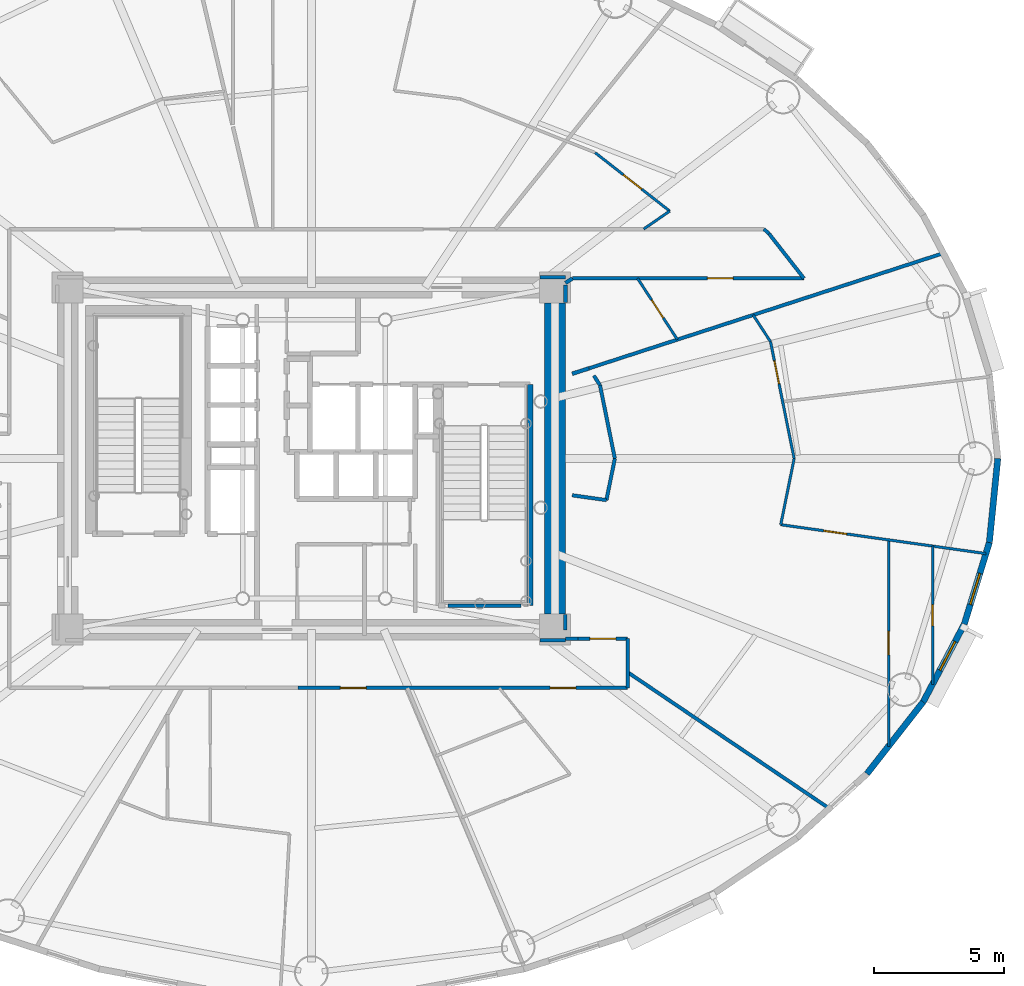
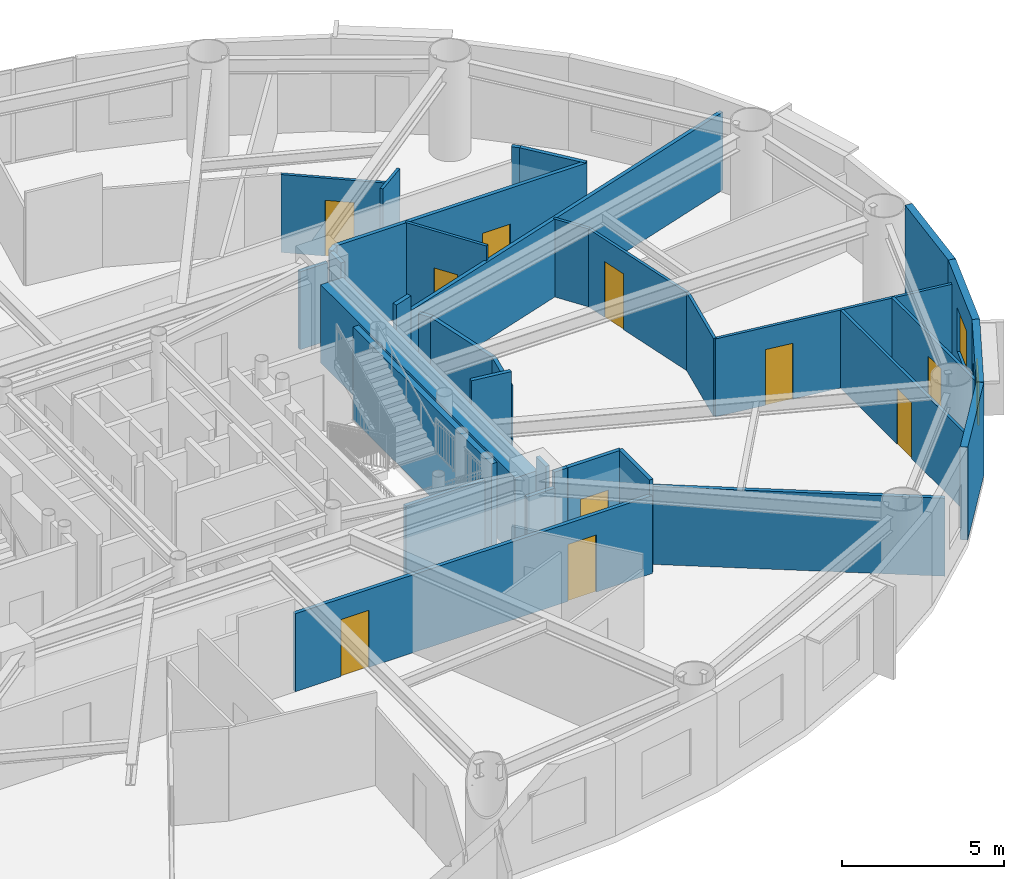
# One storey, part 11 of 20: 35 walls, 10 doors, 2 windows, 12 openings.
"""IFC4 building model written with IfcOpenShell, lengths in metres."""

from ifc_helpers import new_model, si_unit, direction, frame, frame_2d, origin, origin_2d, place, context, subcontext, project, spatial, rectangle, extrude, source, transform, mapped, material, layer, layer_set, type_object, element, fill, save


model = new_model("IFC4")

# Units and contexts
model_context = context("Model", 3, precision=1e-05, world=origin(), true_north=direction((0.0, 1.0)))
body_context = subcontext(model_context, "Body", "Model", "MODEL_VIEW")
ifc_project = project(units=[si_unit("LENGTHUNIT", "METRE"), si_unit("AREAUNIT", "SQUARE_METRE"), si_unit("VOLUMEUNIT", "CUBIC_METRE"), si_unit("PLANEANGLEUNIT", "RADIAN"), si_unit("MASSUNIT", "GRAM", prefix="KILO")], contexts=[model_context])

# Site, building, storey
site_placement = place(None, origin())
site = spatial("IfcSite", under=ifc_project, at=site_placement, CompositionType="ELEMENT")
building_placement = place(site_placement, origin())
building = spatial("IfcBuilding", under=site, at=building_placement, Name="Linh Dai School and Residence Tower", CompositionType="ELEMENT")
storey_placement = place(building_placement, frame((0.0, 0.0, 163.64990234375)))
storey = spatial("IfcBuildingStorey", under=building, at=storey_placement, Name="L39", CompositionType="ELEMENT", Elevation=163.64990234375)

# Wall
ifc_material_1 = material(Name="Precast Concrete B45 (C35/45)", Category="concrete")
ifc_layer_1 = layer(ifc_material_1, 0.239990234375)
ifc_layer_set_1 = layer_set([ifc_layer_1], Name="Precast Concrete B45 (C35/45)")
wall_type_1 = type_object("IfcWallType", Name="EW-TC-240", PredefinedType="SOLIDWALL", material=ifc_layer_set_1)
wall_1_placement = place(storey_placement, frame((59.595947265625, 17.611572265625, 0.0), z_axis=(0.0, 0.0, 1.0), x_axis=(-0.616287674549, -0.787521112224, 0.0)))
element("IfcWall", 1, at=wall_1_placement, inside=storey, type_object=wall_type_1, Name="L39 Terracotta Exterior Wall 37", PredefinedType="SOLIDWALL", context=body_context, shape_type="SweptSolid", body=[
    extrude(rectangle(XDim=3.517333984375, YDim=0.239990234375, at=frame_2d((1.7587890625, 0.0))), origin(), (0.0, 0.0, 1.0), 3.5),
])

# Wall, opening, window
wall_2_placement = place(storey_placement, frame((61.1826171875, 20.611083984375, 0.0), z_axis=(0.0, 0.0, 1.0), x_axis=(-0.467586874938, -0.88394712194, 0.0)))
wall_2 = element("IfcWall", 2, at=wall_2_placement, inside=storey, type_object=wall_type_1, Name="L39 Terracotta Exterior Wall 38", PredefinedType="SOLIDWALL", context=body_context, shape_type="SweptSolid", body=[
    extrude(rectangle(XDim=3.393310546875, YDim=0.239990234375, at=frame_2d((1.69677734375, 0.0))), origin(), (0.0, 0.0, 1.0), 3.5),
])
opening_1_placement = place(wall_2_placement, frame((0.75927734375, 0.0, 0.89990234375)))
opening_1 = element("IfcOpeningElement", 3, at=opening_1_placement, cuts=wall_2, Name="Opening W3", PredefinedType="OPENING", context=body_context, shape_type="SweptSolid", body=[
    extrude(rectangle(XDim=1.25, YDim=1.64990234375, at=origin_2d()), frame((0.625, 0.1298828125, 0.824951171875), z_axis=(0.0, -1.0, 0.0), x_axis=(1.0, 0.0, 0.0)), (0.0, 0.0, 1.0), 0.260009765625),
])
ifc_material_2 = material(Name="Double Low-E Insulated Glazing", Category="glass")
window_type = type_object("IfcWindowType", Name="WN-RES-1250x1650", PartitioningType="SINGLE_PANEL", PredefinedType="WINDOW", material=ifc_material_2)
shared_shape_1 = source(origin(), body_context, "Body", "SweptSolid", [
    extrude(rectangle(XDim=1.25, YDim=1.64990234375, at=origin_2d()), frame((0.625, 0.030029296875, 0.824951171875), z_axis=(0.0, -1.0, 0.0), x_axis=(1.0, 0.0, 0.0)), (0.0, 0.0, 1.0), 0.06005859375),
])
window_1_placement = place(opening_1_placement, origin())
window_1 = element("IfcWindow", 4, at=window_1_placement, inside=storey, type_object=window_type, Name="L39 Exterior Window 38.1", OverallHeight=1.64990234375, OverallWidth=1.25, PartitioningType="SINGLE_PANEL", PredefinedType="WINDOW", context=body_context, shape_type="MappedRepresentation", body=[
    mapped(shared_shape_1, transform((0.0, 0.0, 0.0), x_axis=(1.0, 0.0, 0.0), y_axis=(0.0, 1.0, 0.0), z_axis=(0.0, 0.0, 1.0), scale=1.0)),
])
fill(opening_1, window_1)

wall_3_placement = place(storey_placement, frame((62.14990234375, 23.766357421875, 0.0), z_axis=(0.0, 0.0, 1.0), x_axis=(-0.293097995113, -0.956082405058, 0.0)))
wall_3 = element("IfcWall", 5, at=wall_3_placement, inside=storey, type_object=wall_type_1, Name="L39 Terracotta Exterior Wall 39", PredefinedType="SOLIDWALL", context=body_context, shape_type="SweptSolid", body=[
    extrude(rectangle(XDim=3.30029296875, YDim=0.239990234375, at=frame_2d((1.650146484375, 0.0))), origin(), (0.0, 0.0, 1.0), 3.5),
])
opening_2_placement = place(wall_3_placement, frame((1.255859375, 0.0, 0.89990234375)))
opening_2 = element("IfcOpeningElement", 6, at=opening_2_placement, cuts=wall_3, Name="Opening W3", PredefinedType="OPENING", context=body_context, shape_type="SweptSolid", body=[
    extrude(rectangle(XDim=1.25, YDim=1.64990234375, at=origin_2d()), frame((0.625, 0.1298828125, 0.824951171875), z_axis=(0.0, -1.0, 0.0), x_axis=(1.0, 0.0, 0.0)), (0.0, 0.0, 1.0), 0.260009765625),
])
window_2_placement = place(opening_2_placement, origin())
window_2 = element("IfcWindow", 7, at=window_2_placement, inside=storey, type_object=window_type, Name="L39 Exterior Window 39.1", OverallHeight=1.64990234375, OverallWidth=1.25, PartitioningType="SINGLE_PANEL", PredefinedType="WINDOW", context=body_context, shape_type="MappedRepresentation", body=[
    mapped(shared_shape_1, transform((0.0, 0.0, 0.0), x_axis=(1.0, 0.0, 0.0), y_axis=(0.0, 1.0, 0.0), z_axis=(0.0, 0.0, 1.0), scale=1.0)),
])
fill(opening_2, window_2)

# Wall
wall_4_placement = place(storey_placement, frame((62.47509765625, 27.0, 0.0), z_axis=(0.0, 0.0, 1.0), x_axis=(-0.100061534614, -0.994981250723, 0.0)))
element("IfcWall", 8, at=wall_4_placement, inside=storey, type_object=wall_type_1, Name="L39 Terracotta Exterior Wall 40", PredefinedType="SOLIDWALL", context=body_context, shape_type="SweptSolid", body=[
    extrude(rectangle(XDim=3.25, YDim=0.239990234375, at=frame_2d((1.625, 0.0))), origin(), (0.0, 0.0, 1.0), 3.5),
])

# Wall, openings, doors
ifc_material_3 = material(Name="Autoclaved Aerated Concrete Blockwork", Category="masonry")
ifc_layer_2 = layer(ifc_material_3, 0.135009765625)
ifc_layer_set_2 = layer_set([ifc_layer_2], Name="Autoclaved Aerated Concrete Blockwork")
wall_type_2 = type_object("IfcWallType", Name="IW-CORR-135-EI90", PredefinedType="PARTITIONING", material=ifc_layer_set_2)
wall_5_placement = place(storey_placement, frame((35.48583984375, 18.14990234375, 0.0), z_axis=(0.0, 0.0, 1.0), x_axis=(1.0, 0.0, 0.0)))
wall_5 = element("IfcWall", 9, at=wall_5_placement, inside=storey, type_object=wall_type_2, Name="L39 Interior Partition Wall 058", PredefinedType="PARTITIONING", context=body_context, shape_type="SweptSolid", body=[
    extrude(rectangle(XDim=12.714111328125, YDim=0.135009765625, at=frame_2d((6.35693359375, 0.0))), origin(), (0.0, 0.0, 1.0), 2.93505859375),
])
opening_3_placement = place(wall_5_placement, frame((1.6279296875, 0.0, 0.0)))
opening_3 = element("IfcOpeningElement", 10, at=opening_3_placement, cuts=wall_5, Name="Opening D03", PredefinedType="OPENING", context=body_context, shape_type="SweptSolid", body=[
    extrude(rectangle(XDim=1.0, YDim=2.14990234375, at=origin_2d()), frame((0.5, 0.07763671875, 1.074951171875), z_axis=(0.0, -1.0, 0.0), x_axis=(1.0, 0.0, 0.0)), (0.0, 0.0, 1.0), 0.155029296875),
])
opening_4_placement = place(wall_5_placement, frame((9.71923828125, 0.0, 0.0)))
opening_4 = element("IfcOpeningElement", 11, at=opening_4_placement, cuts=wall_5, Name="Opening D03", PredefinedType="OPENING", context=body_context, shape_type="SweptSolid", body=[
    extrude(rectangle(XDim=1.0, YDim=2.14990234375, at=origin_2d()), frame((0.5, 0.07763671875, 1.074951171875), z_axis=(0.0, -1.0, 0.0), x_axis=(1.0, 0.0, 0.0)), (0.0, 0.0, 1.0), 0.155029296875),
])
ifc_material_4 = material(Name="Fire-Rated Solid Timber Entrance Door", Category="wood")
door_type_1 = type_object("IfcDoorType", Name="DR-FLAT-1000x2150-FD60S", OperationType="NOTDEFINED", PredefinedType="DOOR", material=ifc_material_4)
shared_shape_2 = source(origin(), body_context, "Body", "SweptSolid", [
    extrude(rectangle(XDim=1.0, YDim=2.14990234375, at=origin_2d()), frame((0.5, 0.02490234375, 1.074951171875), z_axis=(0.0, -1.0, 0.0), x_axis=(1.0, 0.0, 0.0)), (0.0, 0.0, 1.0), 0.050048828125),
])
door_1_placement = place(opening_3_placement, origin())
door_1 = element("IfcDoor", 12, at=door_1_placement, inside=storey, type_object=door_type_1, Name="L39 U3906 Apartment Entrance Door", OperationType="SINGLE_SWING_LEFT", OverallHeight=2.14990234375, OverallWidth=1.0, PredefinedType="DOOR", context=body_context, shape_type="MappedRepresentation", body=[
    mapped(shared_shape_2, transform((0.0, 0.0, 0.0), x_axis=(1.0, 0.0, 0.0), y_axis=(0.0, 1.0, 0.0), z_axis=(0.0, 0.0, 1.0), scale=1.0)),
])
fill(opening_3, door_1)
door_2_placement = place(opening_4_placement, origin())
door_2 = element("IfcDoor", 13, at=door_2_placement, inside=storey, type_object=door_type_1, Name="L39 U3907 Apartment Entrance Door", OperationType="SINGLE_SWING_LEFT", OverallHeight=2.14990234375, OverallWidth=1.0, PredefinedType="DOOR", context=body_context, shape_type="MappedRepresentation", body=[
    mapped(shared_shape_2, transform((0.0, 0.0, 0.0), x_axis=(1.0, 0.0, 0.0), y_axis=(0.0, 1.0, 0.0), z_axis=(0.0, 0.0, 1.0), scale=1.0)),
])
fill(opening_4, door_2)

# Wall, opening, door
wall_6_placement = place(storey_placement, frame((46.064697265625, 33.949951171875, 0.0), z_axis=(0.0, 0.0, 1.0), x_axis=(1.0, 0.0, 0.0)))
wall_6 = element("IfcWall", 14, at=wall_6_placement, inside=storey, type_object=wall_type_2, Name="L39 Interior Partition Wall 081", PredefinedType="PARTITIONING", context=body_context, shape_type="SweptSolid", body=[
    extrude(rectangle(XDim=8.932373046875, YDim=0.135009765625, at=frame_2d((4.46630859375, 0.0))), origin(), (0.0, 0.0, 1.0), 3.5),
])
opening_5_placement = place(wall_6_placement, frame((5.203857421875, 0.0, 0.0)))
opening_5 = element("IfcOpeningElement", 15, at=opening_5_placement, cuts=wall_6, Name="Opening D03", PredefinedType="OPENING", context=body_context, shape_type="SweptSolid", body=[
    extrude(rectangle(XDim=1.0, YDim=2.14990234375, at=origin_2d()), frame((0.5, 0.07763671875, 1.074951171875), z_axis=(0.0, -1.0, 0.0), x_axis=(1.0, 0.0, 0.0)), (0.0, 0.0, 1.0), 0.155029296875),
])
door_3_placement = place(opening_5_placement, origin())
door_3 = element("IfcDoor", 16, at=door_3_placement, inside=storey, type_object=door_type_1, Name="L39 U3901 Apartment Entrance Door", OperationType="SINGLE_SWING_RIGHT", OverallHeight=2.14990234375, OverallWidth=1.0, PredefinedType="DOOR", context=body_context, shape_type="MappedRepresentation", body=[
    mapped(shared_shape_2, transform((0.0, 0.0, 0.0), x_axis=(1.0, 0.0, 0.0), y_axis=(0.0, 1.0, 0.0), z_axis=(0.0, 0.0, 1.0), scale=1.0)),
])
fill(opening_5, door_3)

wall_7_placement = place(storey_placement, frame((46.28515625, 20.050048828125, 0.0), z_axis=(0.0, 0.0, 1.0), x_axis=(1.0, 0.0, 0.0)))
wall_7 = element("IfcWall", 17, at=wall_7_placement, inside=storey, type_object=wall_type_2, Name="L39 Interior Partition Wall 082", PredefinedType="PARTITIONING", context=body_context, shape_type="SweptSolid", body=[
    extrude(rectangle(XDim=1.914794921875, YDim=0.135009765625, at=frame_2d((0.95751953125, 0.0))), origin(), (0.0, 0.0, 1.0), 3.5),
])
opening_6_placement = place(wall_7_placement, frame((0.45751953125, 0.0, 0.0)))
opening_6 = element("IfcOpeningElement", 18, at=opening_6_placement, cuts=wall_7, Name="Opening D03", PredefinedType="OPENING", context=body_context, shape_type="SweptSolid", body=[
    extrude(rectangle(XDim=1.0, YDim=2.14990234375, at=origin_2d()), frame((0.5, 0.07763671875, 1.074951171875), z_axis=(0.0, -1.0, 0.0), x_axis=(1.0, 0.0, 0.0)), (0.0, 0.0, 1.0), 0.155029296875),
])
door_4_placement = place(opening_6_placement, origin())
door_4 = element("IfcDoor", 19, at=door_4_placement, inside=storey, type_object=door_type_1, Name="L39 U3908 Apartment Entrance Door", OperationType="SINGLE_SWING_RIGHT", OverallHeight=2.14990234375, OverallWidth=1.0, PredefinedType="DOOR", context=body_context, shape_type="MappedRepresentation", body=[
    mapped(shared_shape_2, transform((0.0, 0.0, 0.0), x_axis=(1.0, 0.0, 0.0), y_axis=(0.0, 1.0, 0.0), z_axis=(0.0, 0.0, 1.0), scale=1.0)),
])
fill(opening_6, door_4)

# Walls
wall_8_placement = place(storey_placement, frame((46.709716796875, 30.479736328125, 0.0), z_axis=(0.0, 0.0, 1.0), x_axis=(0.951054665008, 0.309022691992, 0.0)))
element("IfcWall", 20, at=wall_8_placement, inside=storey, type_object=wall_type_2, Name="L39 Interior Partition Wall 083", PredefinedType="PARTITIONING", context=body_context, shape_type="SweptSolid", body=[
    extrude(rectangle(XDim=14.37158203125, YDim=0.135009765625, at=frame_2d((7.185791015625, 0.0))), origin(), (0.0, 0.0, 1.0), 2.93505859375),
])
wall_9_placement = place(storey_placement, frame((48.199951171875, 18.14990234375, 0.0), z_axis=(0.0, 0.0, 1.0), x_axis=(0.0, 1.0, 0.0)))
element("IfcWall", 21, at=wall_9_placement, inside=storey, type_object=wall_type_2, Name="L39 Interior Partition Wall 085", PredefinedType="PARTITIONING", context=body_context, shape_type="SweptSolid", body=[
    extrude(rectangle(XDim=1.900146484375, YDim=0.135009765625, at=frame_2d((0.9501953125, 0.0))), origin(), (0.0, 0.0, 1.0), 3.5),
])
wall_10_placement = place(storey_placement, frame((48.199951171875, 18.756103515625, 0.0), z_axis=(0.0, 0.0, 1.0), x_axis=(0.828559609568, -0.559900860325, 0.0)))
element("IfcWall", 22, at=wall_10_placement, inside=storey, type_object=wall_type_2, Name="L39 Interior Partition Wall 086", PredefinedType="PARTITIONING", context=body_context, shape_type="SweptSolid", body=[
    extrude(rectangle(XDim=9.383544921875, YDim=0.135009765625, at=frame_2d((4.69189453125, 0.0))), origin(), (0.0, 0.0, 1.0), 2.93505859375),
])
wall_11_placement = place(storey_placement, frame((53.453857421875, 35.85009765625, 0.0), z_axis=(0.0, 0.0, 1.0), x_axis=(0.736667385572, -0.676255249913, 0.0)))
element("IfcWall", 23, at=wall_11_placement, inside=storey, type_object=wall_type_2, Name="L39 Interior Partition Wall 090", PredefinedType="PARTITIONING", context=body_context, shape_type="SweptSolid", body=[
    extrude(rectangle(XDim=0.270751953125, YDim=0.135009765625, at=frame_2d((0.13525390625, 0.0))), origin(), (0.0, 0.0, 1.0), 3.5),
])
wall_12_placement = place(storey_placement, frame((53.6533203125, 35.6669921875, 0.0), z_axis=(0.0, 0.0, 1.0), x_axis=(0.616302223209, -0.787509726713, 0.0)))
element("IfcWall", 24, at=wall_12_placement, inside=storey, type_object=wall_type_2, Name="L39 Interior Partition Wall 091", PredefinedType="PARTITIONING", context=body_context, shape_type="SweptSolid", body=[
    extrude(rectangle(XDim=2.180419921875, YDim=0.135009765625, at=frame_2d((1.09033203125, 0.0))), origin(), (0.0, 0.0, 1.0), 3.5),
])
wall_13_placement = place(storey_placement, frame((44.080078125, 21.330078125, 0.0), z_axis=(0.0, 0.0, 1.0), x_axis=(-1.0, 0.0, 0.0)))
element("IfcWall", 25, at=wall_13_placement, inside=storey, type_object=wall_type_2, Name="L39 Interior Partition Wall 098", PredefinedType="PARTITIONING", context=body_context, shape_type="SweptSolid", body=[
    extrude(rectangle(XDim=2.820068359375, YDim=0.135009765625, at=frame_2d((1.41015625, 0.0))), origin(), (0.0, 0.0, 1.0), 3.03515625),
])
for number, where, z_axis, x_axis, name in (
    (26, (45.800048828125, 34.0, 0.0), (0.0, 0.0, 1.0), (-1.0, 0.0, 0.0), "L39 Interior Partition Wall 104"),
    (27, (44.81005859375, 20.0, 0.0), (0.0, 0.0, 1.0), (1.0, 0.0, 0.0), "L39 Interior Partition Wall 109"),
):
    element("IfcWall", number, at=place(storey_placement, frame(where, z_axis=z_axis, x_axis=x_axis)), inside=storey, type_object=wall_type_2, Name=name, PredefinedType="PARTITIONING", context=body_context, shape_type="SweptSolid", body=[
        extrude(rectangle(XDim=0.989990234375, YDim=0.135009765625, at=frame_2d((0.4951171875, 0.0))), origin(), (0.0, 0.0, 1.0), 2.93505859375),
    ])
wall_14_placement = place(storey_placement, frame((45.81005859375, 20.050048828125, 0.0), z_axis=(0.0, 0.0, 1.0), x_axis=(1.0, 0.0, 0.0)))
element("IfcWall", 28, at=wall_14_placement, inside=storey, type_object=wall_type_2, Name="L39 Interior Partition Wall 110", PredefinedType="PARTITIONING", context=body_context, shape_type="SweptSolid", body=[
    extrude(rectangle(XDim=0.465087890625, YDim=0.135009765625, at=frame_2d((0.232421875, 0.0))), origin(), (0.0, 0.0, 1.0), 3.5),
])
wall_15_placement = place(storey_placement, frame((45.800048828125, 20.3779296875, 0.0), z_axis=(0.0, 0.0, 1.0), x_axis=(0.0, 1.0, 0.0)))
element("IfcWall", 29, at=wall_15_placement, inside=storey, type_object=wall_type_2, Name="L39 Interior Partition Wall 119", PredefinedType="PARTITIONING", context=body_context, shape_type="SweptSolid", body=[
    extrude(rectangle(XDim=0.612060546875, YDim=0.135009765625, at=frame_2d((0.30615234375, 0.0))), origin(), (0.0, 0.0, 1.0), 3.5),
])
wall_16_placement = place(storey_placement, frame((46.06005859375, 25.581787109375, 0.0), z_axis=(0.0, 0.0, 1.0), x_axis=(0.990207965895, -0.139600086959, 0.0)))
element("IfcWall", 30, at=wall_16_placement, inside=storey, type_object=wall_type_2, Name="L39 Interior Partition Wall 120", PredefinedType="PARTITIONING", context=body_context, shape_type="SweptSolid", body=[
    extrude(rectangle(XDim=1.33251953125, YDim=0.135009765625, at=frame_2d((0.666259765625, 0.0))), origin(), (0.0, 0.0, 1.0), 3.5),
])
wall_17_placement = place(storey_placement, frame((47.379638671875, 25.39599609375, 0.0), z_axis=(0.0, 0.0, 1.0), x_axis=(0.19826737525, 0.980147972457, 0.0)))
element("IfcWall", 31, at=wall_17_placement, inside=storey, type_object=wall_type_2, Name="L39 Interior Partition Wall 121", PredefinedType="PARTITIONING", context=body_context, shape_type="SweptSolid", body=[
    extrude(rectangle(XDim=1.636474609375, YDim=0.135009765625, at=frame_2d((0.818359375, 0.0))), origin(), (0.0, 0.0, 1.0), 2.93505859375),
])
wall_18_placement = place(storey_placement, frame((47.7041015625, 27.0, 0.0), z_axis=(0.0, 0.0, 1.0), x_axis=(-0.198292837027, 0.980142821625, 0.0)))
element("IfcWall", 32, at=wall_18_placement, inside=storey, type_object=wall_type_2, Name="L39 Interior Partition Wall 122", PredefinedType="PARTITIONING", context=body_context, shape_type="SweptSolid", body=[
    extrude(rectangle(XDim=2.8896484375, YDim=0.135009765625, at=frame_2d((1.44482421875, 0.0))), origin(), (0.0, 0.0, 1.0), 2.93505859375),
])
wall_19_placement = place(storey_placement, frame((47.131103515625, 29.832275390625, 0.0), z_axis=(0.0, 0.0, 1.0), x_axis=(-0.545305123916, 0.838237628499, 0.0)))
element("IfcWall", 33, at=wall_19_placement, inside=storey, type_object=wall_type_2, Name="L39 Interior Partition Wall 123", PredefinedType="PARTITIONING", context=body_context, shape_type="SweptSolid", body=[
    extrude(rectangle(XDim=0.433349609375, YDim=0.135009765625, at=frame_2d((0.216796875, 0.0))), origin(), (0.0, 0.0, 1.0), 2.93505859375),
])
ifc_layer_3 = layer(ifc_material_3, 0.14990234375)
ifc_layer_set_3 = layer_set([ifc_layer_3], Name="Autoclaved Aerated Concrete Blockwork")
wall_type_3 = type_object("IfcWallType", Name="IW-SCH-150-EI60", PredefinedType="PARTITIONING", material=ifc_layer_set_3)
wall_20_placement = place(storey_placement, frame((45.800048828125, 33.010009765625, 0.0), z_axis=(0.0, 0.0, 1.0), x_axis=(0.0, 1.0, 0.0)))
element("IfcWall", 34, at=wall_20_placement, inside=storey, type_object=wall_type_3, Name="L39 Interior Partition Wall 114", PredefinedType="PARTITIONING", context=body_context, shape_type="SweptSolid", body=[
    extrude(rectangle(XDim=0.682373046875, YDim=0.14990234375, at=frame_2d((0.34130859375, 0.0))), origin(), (0.0, 0.0, 1.0), 3.5),
])
wall_21_placement = place(storey_placement, frame((45.800048828125, 33.767333984375, 0.0), z_axis=(0.0, 0.0, 1.0), x_axis=(0.823065918238, 0.56794585502, 0.0)))
element("IfcWall", 35, at=wall_21_placement, inside=storey, type_object=wall_type_3, Name="L39 Interior Partition Wall 115", PredefinedType="PARTITIONING", context=body_context, shape_type="SweptSolid", body=[
    extrude(rectangle(XDim=0.321533203125, YDim=0.14990234375, at=frame_2d((0.16064453125, 0.0))), origin(), (0.0, 0.0, 1.0), 3.5),
])
wall_22_placement = place(storey_placement, frame((46.7001953125, 30.476806640625, 0.0), z_axis=(0.0, 0.0, 1.0), x_axis=(-0.951050060735, -0.309036861841, 0.0)))
element("IfcWall", 36, at=wall_22_placement, inside=storey, type_object=wall_type_3, Name="L39 Interior Partition Wall 116", PredefinedType="PARTITIONING", context=body_context, shape_type="SweptSolid", body=[
    extrude(rectangle(XDim=0.673095703125, YDim=0.14990234375, at=frame_2d((0.33642578125, 0.0))), origin(), (0.0, 0.0, 1.0), 3.5),
])
ifc_material_5 = material(Name="Concrete B45 (C35/45)", Category="concrete")
ifc_layer_4 = layer(ifc_material_5, 0.199951171875)
ifc_layer_set_4 = layer_set([ifc_layer_4], Name="Concrete B45 (C35/45)")
wall_type_4 = type_object("IfcWallType", Name="IW-SHAFT-200-EI120", PredefinedType="PARTITIONING", material=ifc_layer_set_4)
wall_23_placement = place(storey_placement, frame((44.43994140625, 21.330078125, 0.0), z_axis=(0.0, 0.0, 1.0), x_axis=(0.0, 1.0, 0.0)))
element("IfcWall", 37, at=wall_23_placement, inside=storey, type_object=wall_type_4, Name="L39 Interior Partition Wall 080", PredefinedType="PARTITIONING", context=body_context, shape_type="SweptSolid", body=[
    extrude(rectangle(XDim=8.52001953125, YDim=0.199951171875, at=frame_2d((4.260009765625, 0.0))), origin(), (0.0, 0.0, 1.0), 3.5),
])

# Wall, opening, door
ifc_material_6 = material(Name="Gypsum Plasterboard Acoustic Stud Partition", Category="masonry")
ifc_layer_5 = layer(ifc_material_6, 0.10009765625)
ifc_layer_set_5 = layer_set([ifc_layer_5], Name="Gypsum Plasterboard Acoustic Stud Partition")
wall_type_5 = type_object("IfcWallType", Name="IW-UNIT-100", PredefinedType="PARTITIONING", material=ifc_layer_set_5)
wall_24_placement = place(storey_placement, frame((46.944580078125, 38.79638671875, 0.0), z_axis=(0.0, 0.0, 1.0), x_axis=(0.787307530322, -0.616560502058, 0.0)))
wall_24 = element("IfcWall", 38, at=wall_24_placement, inside=storey, type_object=wall_type_5, Name="L39 Interior Partition Wall 084", PredefinedType="PARTITIONING", context=body_context, shape_type="SweptSolid", body=[
    extrude(rectangle(XDim=3.6533203125, YDim=0.10009765625, at=frame_2d((1.82666015625, 0.0))), origin(), (0.0, 0.0, 1.0), 2.93505859375),
])
opening_7_placement = place(wall_24_placement, frame((1.376708984375, 0.0, 0.0)))
opening_7 = element("IfcOpeningElement", 39, at=opening_7_placement, cuts=wall_24, Name="Opening D05", PredefinedType="OPENING", context=body_context, shape_type="SweptSolid", body=[
    extrude(rectangle(XDim=0.89990234375, YDim=2.10009765625, at=origin_2d()), frame((0.449951171875, 0.06005859375, 1.050048828125), z_axis=(0.0, -1.0, 0.0), x_axis=(1.0, 0.0, 0.0)), (0.0, 0.0, 1.0), 0.1201171875),
])
ifc_material_7 = material(Name="Engineered Timber Internal Door", Category="wood")
door_type_2 = type_object("IfcDoorType", Name="DR-INT-900x2100", OperationType="NOTDEFINED", PredefinedType="DOOR", material=ifc_material_7)
shared_shape_3 = source(origin(), body_context, "Body", "SweptSolid", [
    extrude(rectangle(XDim=0.89990234375, YDim=2.10009765625, at=origin_2d()), frame((0.449951171875, 0.02490234375, 1.050048828125), z_axis=(0.0, -1.0, 0.0), x_axis=(1.0, 0.0, 0.0)), (0.0, 0.0, 1.0), 0.050048828125),
])
door_5_placement = place(opening_7_placement, origin())
door_5 = element("IfcDoor", 40, at=door_5_placement, inside=storey, type_object=door_type_2, Name="L39 Apartment U3901 Kitchen Door", OperationType="SINGLE_SWING_RIGHT", OverallHeight=2.10009765625, OverallWidth=0.89990234375, PredefinedType="DOOR", context=body_context, shape_type="MappedRepresentation", body=[
    mapped(shared_shape_3, transform((0.0, 0.0, 0.0), x_axis=(1.0, 0.0, 0.0), y_axis=(0.0, 1.0, 0.0), z_axis=(0.0, 0.0, 1.0), scale=1.0)),
])
fill(opening_7, door_5)

wall_25_placement = place(storey_placement, frame((48.579833984375, 33.949951171875, 0.0), z_axis=(0.0, 0.0, 1.0), x_axis=(0.545393120499, -0.838180376836, 0.0)))
wall_25 = element("IfcWall", 41, at=wall_25_placement, inside=storey, type_object=wall_type_5, Name="L39 Interior Partition Wall 087", PredefinedType="PARTITIONING", context=body_context, shape_type="SweptSolid", body=[
    extrude(rectangle(XDim=2.8193359375, YDim=0.10009765625, at=frame_2d((1.40966796875, 0.0))), origin(), (0.0, 0.0, 1.0), 3.5),
])
opening_8_placement = place(wall_25_placement, frame((0.99951171875, 0.0, 0.0)))
opening_8 = element("IfcOpeningElement", 42, at=opening_8_placement, cuts=wall_25, Name="Opening D06", PredefinedType="OPENING", context=body_context, shape_type="SweptSolid", body=[
    extrude(rectangle(XDim=0.820068359375, YDim=2.10009765625, at=origin_2d()), frame((0.41015625, 0.06005859375, 1.050048828125), z_axis=(0.0, -1.0, 0.0), x_axis=(1.0, 0.0, 0.0)), (0.0, 0.0, 1.0), 0.1201171875),
])
ifc_material_8 = material(Name="Moisture-Resistant Timber Bathroom Door", Category="wood")
door_type_3 = type_object("IfcDoorType", Name="DR-WET-820x2100", OperationType="NOTDEFINED", PredefinedType="DOOR", material=ifc_material_8)
shared_shape_4 = source(origin(), body_context, "Body", "SweptSolid", [
    extrude(rectangle(XDim=0.820068359375, YDim=2.10009765625, at=origin_2d()), frame((0.41015625, 0.02490234375, 1.050048828125), z_axis=(0.0, -1.0, 0.0), x_axis=(1.0, 0.0, 0.0)), (0.0, 0.0, 1.0), 0.050048828125),
])
door_6_placement = place(opening_8_placement, origin())
door_6 = element("IfcDoor", 43, at=door_6_placement, inside=storey, type_object=door_type_3, Name="L39 Apartment U3901 Bathroom Door", OperationType="SINGLE_SWING_LEFT", OverallHeight=2.10009765625, OverallWidth=0.820068359375, PredefinedType="DOOR", context=body_context, shape_type="MappedRepresentation", body=[
    mapped(shared_shape_4, transform((0.0, 0.0, 0.0), x_axis=(1.0, 0.0, 0.0), y_axis=(0.0, 1.0, 0.0), z_axis=(0.0, 0.0, 1.0), scale=1.0)),
])
fill(opening_8, door_6)

# Walls
wall_26_placement = place(storey_placement, frame((48.816162109375, 35.85009765625, 0.0), z_axis=(0.0, 0.0, 1.0), x_axis=(0.822832340307, 0.568284206841, 0.0)))
element("IfcWall", 44, at=wall_26_placement, inside=storey, type_object=wall_type_5, Name="L39 Interior Partition Wall 088", PredefinedType="PARTITIONING", context=body_context, shape_type="SweptSolid", body=[
    extrude(rectangle(XDim=1.220947265625, YDim=0.10009765625, at=frame_2d((0.6103515625, 0.0))), origin(), (0.0, 0.0, 1.0), 3.5),
])
wall_27_placement = place(storey_placement, frame((53.038330078125, 32.5361328125, 0.0), z_axis=(0.0, 0.0, 1.0), x_axis=(0.545407162254, -0.83817123988, 0.0)))
element("IfcWall", 45, at=wall_27_placement, inside=storey, type_object=wall_type_5, Name="L39 Interior Partition Wall 089", PredefinedType="PARTITIONING", context=body_context, shape_type="SweptSolid", body=[
    extrude(rectangle(XDim=1.229248046875, YDim=0.10009765625, at=frame_2d((0.61474609375, 0.0))), origin(), (0.0, 0.0, 1.0), 2.93505859375),
])

# Wall, opening, door
wall_28_placement = place(storey_placement, frame((53.708740234375, 31.505859375, 0.0), z_axis=(0.0, 0.0, 1.0), x_axis=(0.198209478932, -0.980159682124, 0.0)))
wall_28 = element("IfcWall", 46, at=wall_28_placement, inside=storey, type_object=wall_type_5, Name="L39 Interior Partition Wall 092", PredefinedType="PARTITIONING", context=body_context, shape_type="SweptSolid", body=[
    extrude(rectangle(XDim=4.596923828125, YDim=0.10009765625, at=frame_2d((2.29833984375, 0.0))), origin(), (0.0, 0.0, 1.0), 2.93505859375),
])
opening_9_placement = place(wall_28_placement, frame((0.75, 0.0, 0.0)))
opening_9 = element("IfcOpeningElement", 47, at=opening_9_placement, cuts=wall_28, Name="Opening D05", PredefinedType="OPENING", context=body_context, shape_type="SweptSolid", body=[
    extrude(rectangle(XDim=0.89990234375, YDim=2.10009765625, at=origin_2d()), frame((0.449951171875, 0.06005859375, 1.050048828125), z_axis=(0.0, -1.0, 0.0), x_axis=(1.0, 0.0, 0.0)), (0.0, 0.0, 1.0), 0.1201171875),
])
door_7_placement = place(opening_9_placement, origin())
door_7 = element("IfcDoor", 48, at=door_7_placement, inside=storey, type_object=door_type_2, Name="L39 Apartment U3908 Study Door", OperationType="SINGLE_SWING_RIGHT", OverallHeight=2.10009765625, OverallWidth=0.89990234375, PredefinedType="DOOR", context=body_context, shape_type="MappedRepresentation", body=[
    mapped(shared_shape_3, transform((0.0, 0.0, 0.0), x_axis=(1.0, 0.0, 0.0), y_axis=(0.0, 1.0, 0.0), z_axis=(0.0, 0.0, 1.0), scale=1.0)),
])
fill(opening_9, door_7)

# Wall
wall_29_placement = place(storey_placement, frame((54.103759765625, 24.447998046875, 0.0), z_axis=(0.0, 0.0, 1.0), x_axis=(0.198315541218, 0.980138228063, 0.0)))
element("IfcWall", 49, at=wall_29_placement, inside=storey, type_object=wall_type_5, Name="L39 Interior Partition Wall 093", PredefinedType="PARTITIONING", context=body_context, shape_type="SweptSolid", body=[
    extrude(rectangle(XDim=2.603759765625, YDim=0.10009765625, at=frame_2d((1.3017578125, 0.0))), origin(), (0.0, 0.0, 1.0), 2.93505859375),
])

# Wall, opening, door
wall_30_placement = place(storey_placement, frame((54.103759765625, 24.447998046875, 0.0), z_axis=(0.0, 0.0, 1.0), x_axis=(0.990209750791, -0.139587425789, 0.0)))
wall_30 = element("IfcWall", 50, at=wall_30_placement, inside=storey, type_object=wall_type_5, Name="L39 Interior Partition Wall 094", PredefinedType="PARTITIONING", context=body_context, shape_type="SweptSolid", body=[
    extrude(rectangle(XDim=7.99658203125, YDim=0.10009765625, at=frame_2d((3.998291015625, 0.0))), origin(), (0.0, 0.0, 1.0), 2.93505859375),
])
opening_10_placement = place(wall_30_placement, frame((1.669677734375, 0.0, 0.0)))
opening_10 = element("IfcOpeningElement", 51, at=opening_10_placement, cuts=wall_30, Name="Opening D05", PredefinedType="OPENING", context=body_context, shape_type="SweptSolid", body=[
    extrude(rectangle(XDim=0.89990234375, YDim=2.10009765625, at=origin_2d()), frame((0.449951171875, 0.06005859375, 1.050048828125), z_axis=(0.0, -1.0, 0.0), x_axis=(1.0, 0.0, 0.0)), (0.0, 0.0, 1.0), 0.1201171875),
])
door_8_placement = place(opening_10_placement, origin())
door_8 = element("IfcDoor", 52, at=door_8_placement, inside=storey, type_object=door_type_2, Name="L39 Apartment U3908 Principal Bedroom 1 Door", OperationType="SINGLE_SWING_LEFT", OverallHeight=2.10009765625, OverallWidth=0.89990234375, PredefinedType="DOOR", context=body_context, shape_type="MappedRepresentation", body=[
    mapped(shared_shape_3, transform((0.0, 0.0, 0.0), x_axis=(1.0, 0.0, 0.0), y_axis=(0.0, 1.0, 0.0), z_axis=(0.0, 0.0, 1.0), scale=1.0)),
])
fill(opening_10, door_8)

wall_31_placement = place(storey_placement, frame((58.26171875, 15.898681640625, 0.0), z_axis=(0.0, 0.0, 1.0), x_axis=(0.0, 1.0, 0.0)))
wall_31 = element("IfcWall", 53, at=wall_31_placement, inside=storey, type_object=wall_type_5, Name="L39 Interior Partition Wall 096", PredefinedType="PARTITIONING", context=body_context, shape_type="SweptSolid", body=[
    extrude(rectangle(XDim=7.963134765625, YDim=0.10009765625, at=frame_2d((3.9814453125, 0.0))), origin(), (0.0, 0.0, 1.0), 2.93505859375),
])
opening_11_placement = place(wall_31_placement, frame((3.531494140625, 0.0, 0.0)))
opening_11 = element("IfcOpeningElement", 54, at=opening_11_placement, cuts=wall_31, Name="Opening D05", PredefinedType="OPENING", context=body_context, shape_type="SweptSolid", body=[
    extrude(rectangle(XDim=0.89990234375, YDim=2.10009765625, at=origin_2d()), frame((0.449951171875, 0.06005859375, 1.050048828125), z_axis=(0.0, -1.0, 0.0), x_axis=(1.0, 0.0, 0.0)), (0.0, 0.0, 1.0), 0.1201171875),
])
door_9_placement = place(opening_11_placement, origin())
door_9 = element("IfcDoor", 55, at=door_9_placement, inside=storey, type_object=door_type_2, Name="L39 Apartment U3908 Kitchen Door", OperationType="SINGLE_SWING_LEFT", OverallHeight=2.10009765625, OverallWidth=0.89990234375, PredefinedType="DOOR", context=body_context, shape_type="MappedRepresentation", body=[
    mapped(shared_shape_3, transform((0.0, 0.0, 0.0), x_axis=(1.0, 0.0, 0.0), y_axis=(0.0, 1.0, 0.0), z_axis=(0.0, 0.0, 1.0), scale=1.0)),
])
fill(opening_11, door_9)

wall_32_placement = place(storey_placement, frame((59.961181640625, 18.291259765625, 0.0), z_axis=(0.0, 0.0, 1.0), x_axis=(0.0, 1.0, 0.0)))
wall_32 = element("IfcWall", 56, at=wall_32_placement, inside=storey, type_object=wall_type_5, Name="L39 Interior Partition Wall 097", PredefinedType="PARTITIONING", context=body_context, shape_type="SweptSolid", body=[
    extrude(rectangle(XDim=5.3310546875, YDim=0.10009765625, at=frame_2d((2.66552734375, 0.0))), origin(), (0.0, 0.0, 1.0), 2.93505859375),
])
opening_12_placement = place(wall_32_placement, frame((2.255615234375, 0.0, 0.0)))
opening_12 = element("IfcOpeningElement", 57, at=opening_12_placement, cuts=wall_32, Name="Opening D06", PredefinedType="OPENING", context=body_context, shape_type="SweptSolid", body=[
    extrude(rectangle(XDim=0.820068359375, YDim=2.10009765625, at=origin_2d()), frame((0.41015625, 0.06005859375, 1.050048828125), z_axis=(0.0, -1.0, 0.0), x_axis=(1.0, 0.0, 0.0)), (0.0, 0.0, 1.0), 0.1201171875),
])
door_10_placement = place(opening_12_placement, origin())
door_10 = element("IfcDoor", 58, at=door_10_placement, inside=storey, type_object=door_type_3, Name="L39 Apartment U3908 Bathroom 1 Door", OperationType="SINGLE_SWING_RIGHT", OverallHeight=2.10009765625, OverallWidth=0.820068359375, PredefinedType="DOOR", context=body_context, shape_type="MappedRepresentation", body=[
    mapped(shared_shape_4, transform((0.0, 0.0, 0.0), x_axis=(1.0, 0.0, 0.0), y_axis=(0.0, 1.0, 0.0), z_axis=(0.0, 0.0, 1.0), scale=1.0)),
])
fill(opening_12, door_10)

# Wall
ifc_material_9 = material(Name="Concrete B60 (C50/60)", Category="concrete")
ifc_layer_6 = layer(ifc_material_9, 0.800048828125)
ifc_layer_set_6 = layer_set([ifc_layer_6], Name="Concrete B60 (C50/60)")
wall_type_6 = type_object("IfcWallType", Name="WL-CORE800", PredefinedType="SHEAR", material=ifc_layer_set_6)
wall_33_placement = place(storey_placement, frame((45.39990234375, 33.0, 0.0), z_axis=(0.0, 0.0, 1.0), x_axis=(0.0, -1.0, 0.0)))
element("IfcWall", 59, at=wall_33_placement, inside=storey, type_object=wall_type_6, Name="L39 Central Core Shear Wall E", PredefinedType="SHEAR", context=body_context, shape_type="SweptSolid", body=[
    extrude(rectangle(XDim=12.0, YDim=0.800048828125, at=frame_2d((6.0, 0.0))), origin(), (0.0, 0.0, 1.0), 2.9501953125),
])

save(model, "model.ifc")
